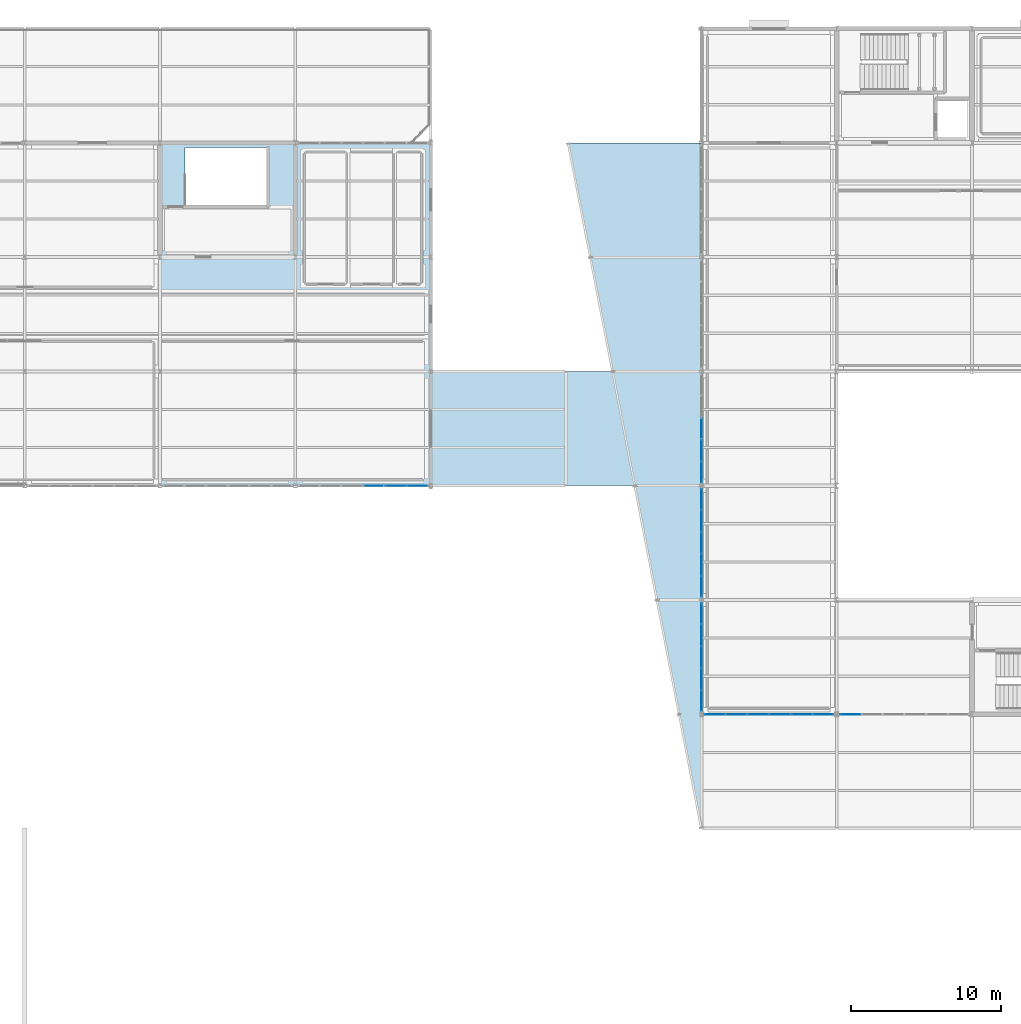
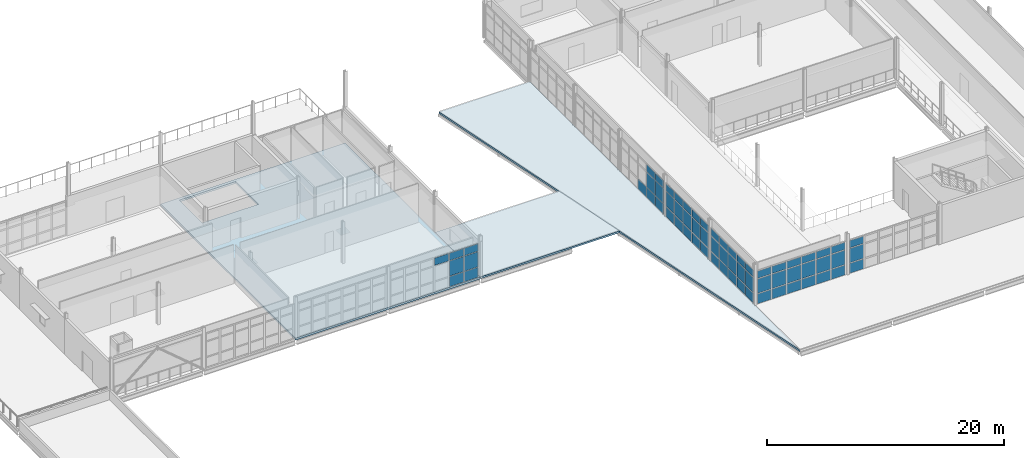
# One storey, part 71 of 96: 65 plates, 3 slabs, 6 elements without a shape of their own.
"""IFC4 building model written with IfcOpenShell, lengths in metres."""

from ifc_helpers import new_model, si_unit, direction, frame, origin, origin_2d, place, context, subcontext, project, spatial, polyline, rectangle, outline, extrude, material, layer, layer_set, type_object, element, aggregate, save


model = new_model("IFC4")

# Units and contexts
model_context = context("Model", 3, precision=1e-05, world=origin(), true_north=direction((0.0, 1.0)))
body_context = subcontext(model_context, "Body", "Model", "MODEL_VIEW")
ifc_project = project(units=[si_unit("LENGTHUNIT", "METRE"), si_unit("AREAUNIT", "SQUARE_METRE"), si_unit("VOLUMEUNIT", "CUBIC_METRE"), si_unit("PLANEANGLEUNIT", "RADIAN"), si_unit("MASSUNIT", "GRAM", prefix="KILO")], contexts=[model_context])

# Site, building, storey
site_placement = place(None, origin())
site = spatial("IfcSite", under=ifc_project, at=site_placement, CompositionType="ELEMENT")
building_placement = place(site_placement, origin())
building = spatial("IfcBuilding", under=site, at=building_placement, Name="Caisbarro Railhouse Central Library", CompositionType="ELEMENT")
storey_placement = place(building_placement, frame((0.0, 0.0, 13.679931640625)))
storey = spatial("IfcBuildingStorey", under=building, at=storey_placement, Name="L03", CompositionType="ELEMENT", Elevation=13.679931640625)

# Curtain wall, plates
ifc_material_1 = material(Name="Anodised architectural aluminium", Category="aluminium")
curtain_wall_type = type_object("IfcCurtainWallType", Name="CW-CW02", PredefinedType="NOTDEFINED", material=ifc_material_1)
curtain_wall_1_placement = place(storey_placement, origin())
curtain_wall_1 = element("IfcCurtainWall", 1, at=curtain_wall_1_placement, inside=storey, type_object=curtain_wall_type, Name="CW02 curtain wall L03 #142", PredefinedType="NOTDEFINED")
ifc_material_2 = material(Name="Double low-e laminated solar-control glass", Category="glass")
ifc_layer_1 = layer(ifc_material_2, 0.01806640625, Name="Double low-e laminated solar-control glass")
ifc_layer_set_1 = layer_set([ifc_layer_1], Name="Double low-e laminated solar-control glass")
plate_type_1 = type_object("IfcPlateType", Name="CWP-CP18", PredefinedType="CURTAIN_PANEL", material=ifc_layer_set_1)
plate_1_placement = place(storey_placement, frame((117.0, 69.30419921875, 0.0751953125), z_axis=(0.0, 0.0, 1.0), x_axis=(0.0, 1.0, 0.0)))
plate_1 = element("IfcPlate", 2, at=plate_1_placement, type_object=plate_type_1, Name="CW02 panel 1.1", PredefinedType="CURTAIN_PANEL", context=body_context, shape_type="SweptSolid", body=[
    extrude(rectangle(XDim=1.3583984375, YDim=0.01806640625, at=origin_2d()), origin(), (0.0, 0.0, 1.0), 1.007568359375),
])
plate_2_placement = place(storey_placement, frame((117.0, 69.30419921875, 1.15771484375), z_axis=(0.0, 0.0, 1.0), x_axis=(0.0, 1.0, 0.0)))
plate_2 = element("IfcPlate", 3, at=plate_2_placement, type_object=plate_type_1, Name="CW02 panel 1.2", PredefinedType="CURTAIN_PANEL", context=body_context, shape_type="SweptSolid", body=[
    extrude(rectangle(XDim=1.3583984375, YDim=0.01806640625, at=origin_2d()), origin(), (0.0, 0.0, 1.0), 1.514892578125),
])
plate_3_placement = place(storey_placement, frame((117.0, 69.30419921875, 2.74755859375), z_axis=(0.0, 0.0, 1.0), x_axis=(0.0, 1.0, 0.0)))
plate_3 = element("IfcPlate", 4, at=plate_3_placement, type_object=plate_type_1, Name="CW02 panel 1.3", PredefinedType="CURTAIN_PANEL", context=body_context, shape_type="SweptSolid", body=[
    extrude(rectangle(XDim=1.3583984375, YDim=0.01806640625, at=origin_2d()), origin(), (0.0, 0.0, 1.0), 0.737548828125),
])
plate_4_placement = place(storey_placement, frame((117.0, 70.743896484375, 0.0751953125), z_axis=(0.0, 0.0, 1.0), x_axis=(0.0, 1.0, 0.0)))
plate_4 = element("IfcPlate", 5, at=plate_4_placement, type_object=plate_type_1, Name="CW02 panel 2.1", PredefinedType="CURTAIN_PANEL", context=body_context, shape_type="SweptSolid", body=[
    extrude(rectangle(XDim=1.39111328125, YDim=0.01806640625, at=origin_2d()), origin(), (0.0, 0.0, 1.0), 1.007568359375),
])
plate_5_placement = place(storey_placement, frame((117.0, 70.743896484375, 1.15771484375), z_axis=(0.0, 0.0, 1.0), x_axis=(0.0, 1.0, 0.0)))
plate_5 = element("IfcPlate", 6, at=plate_5_placement, type_object=plate_type_1, Name="CW02 panel 2.2", PredefinedType="CURTAIN_PANEL", context=body_context, shape_type="SweptSolid", body=[
    extrude(rectangle(XDim=1.39111328125, YDim=0.01806640625, at=origin_2d()), origin(), (0.0, 0.0, 1.0), 1.514892578125),
])
plate_6_placement = place(storey_placement, frame((117.0, 70.743896484375, 2.74755859375), z_axis=(0.0, 0.0, 1.0), x_axis=(0.0, 1.0, 0.0)))
plate_6 = element("IfcPlate", 7, at=plate_6_placement, type_object=plate_type_1, Name="CW02 panel 2.3", PredefinedType="CURTAIN_PANEL", context=body_context, shape_type="SweptSolid", body=[
    extrude(rectangle(XDim=1.39111328125, YDim=0.01806640625, at=origin_2d()), origin(), (0.0, 0.0, 1.0), 0.737548828125),
])
plate_7_placement = place(storey_placement, frame((117.0, 72.199951171875, 0.0751953125), z_axis=(0.0, 0.0, 1.0), x_axis=(0.0, 1.0, 0.0)))
plate_7 = element("IfcPlate", 8, at=plate_7_placement, type_object=plate_type_1, Name="CW02 panel 3.1", PredefinedType="CURTAIN_PANEL", context=body_context, shape_type="SweptSolid", body=[
    extrude(rectangle(XDim=1.39111328125, YDim=0.01806640625, at=origin_2d()), origin(), (0.0, 0.0, 1.0), 1.007568359375),
])
plate_8_placement = place(storey_placement, frame((117.0, 72.199951171875, 1.15771484375), z_axis=(0.0, 0.0, 1.0), x_axis=(0.0, 1.0, 0.0)))
plate_8 = element("IfcPlate", 9, at=plate_8_placement, type_object=plate_type_1, Name="CW02 panel 3.2", PredefinedType="CURTAIN_PANEL", context=body_context, shape_type="SweptSolid", body=[
    extrude(rectangle(XDim=1.39111328125, YDim=0.01806640625, at=origin_2d()), origin(), (0.0, 0.0, 1.0), 1.514892578125),
])
plate_9_placement = place(storey_placement, frame((117.0, 72.199951171875, 2.74755859375), z_axis=(0.0, 0.0, 1.0), x_axis=(0.0, 1.0, 0.0)))
plate_9 = element("IfcPlate", 10, at=plate_9_placement, type_object=plate_type_1, Name="CW02 panel 3.3", PredefinedType="CURTAIN_PANEL", context=body_context, shape_type="SweptSolid", body=[
    extrude(rectangle(XDim=1.39111328125, YDim=0.01806640625, at=origin_2d()), origin(), (0.0, 0.0, 1.0), 0.737548828125),
])
plate_10_placement = place(storey_placement, frame((117.0, 73.656005859375, 0.0751953125), z_axis=(0.0, 0.0, 1.0), x_axis=(0.0, 1.0, 0.0)))
plate_10 = element("IfcPlate", 11, at=plate_10_placement, type_object=plate_type_1, Name="CW02 panel 4.1", PredefinedType="CURTAIN_PANEL", context=body_context, shape_type="SweptSolid", body=[
    extrude(rectangle(XDim=1.39111328125, YDim=0.01806640625, at=origin_2d()), origin(), (0.0, 0.0, 1.0), 1.007568359375),
])
plate_11_placement = place(storey_placement, frame((117.0, 73.656005859375, 1.15771484375), z_axis=(0.0, 0.0, 1.0), x_axis=(0.0, 1.0, 0.0)))
plate_11 = element("IfcPlate", 12, at=plate_11_placement, type_object=plate_type_1, Name="CW02 panel 4.2", PredefinedType="CURTAIN_PANEL", context=body_context, shape_type="SweptSolid", body=[
    extrude(rectangle(XDim=1.39111328125, YDim=0.01806640625, at=origin_2d()), origin(), (0.0, 0.0, 1.0), 1.514892578125),
])
plate_12_placement = place(storey_placement, frame((117.0, 73.656005859375, 2.74755859375), z_axis=(0.0, 0.0, 1.0), x_axis=(0.0, 1.0, 0.0)))
plate_12 = element("IfcPlate", 13, at=plate_12_placement, type_object=plate_type_1, Name="CW02 panel 4.3", PredefinedType="CURTAIN_PANEL", context=body_context, shape_type="SweptSolid", body=[
    extrude(rectangle(XDim=1.39111328125, YDim=0.01806640625, at=origin_2d()), origin(), (0.0, 0.0, 1.0), 0.737548828125),
])
plate_13_placement = place(storey_placement, frame((117.0, 75.095703125, 0.0751953125), z_axis=(0.0, 0.0, 1.0), x_axis=(0.0, 1.0, 0.0)))
plate_13 = element("IfcPlate", 14, at=plate_13_placement, type_object=plate_type_1, Name="CW02 panel 5.1", PredefinedType="CURTAIN_PANEL", context=body_context, shape_type="SweptSolid", body=[
    extrude(rectangle(XDim=1.3583984375, YDim=0.01806640625, at=origin_2d()), origin(), (0.0, 0.0, 1.0), 1.007568359375),
])
plate_14_placement = place(storey_placement, frame((117.0, 75.095703125, 1.15771484375), z_axis=(0.0, 0.0, 1.0), x_axis=(0.0, 1.0, 0.0)))
plate_14 = element("IfcPlate", 15, at=plate_14_placement, type_object=plate_type_1, Name="CW02 panel 5.2", PredefinedType="CURTAIN_PANEL", context=body_context, shape_type="SweptSolid", body=[
    extrude(rectangle(XDim=1.3583984375, YDim=0.01806640625, at=origin_2d()), origin(), (0.0, 0.0, 1.0), 1.514892578125),
])
plate_15_placement = place(storey_placement, frame((117.0, 75.095703125, 2.74755859375), z_axis=(0.0, 0.0, 1.0), x_axis=(0.0, 1.0, 0.0)))
plate_15 = element("IfcPlate", 16, at=plate_15_placement, type_object=plate_type_1, Name="CW02 panel 5.3", PredefinedType="CURTAIN_PANEL", context=body_context, shape_type="SweptSolid", body=[
    extrude(rectangle(XDim=1.3583984375, YDim=0.01806640625, at=origin_2d()), origin(), (0.0, 0.0, 1.0), 0.737548828125),
])
aggregate(curtain_wall_1, [plate_1, plate_2, plate_3, plate_4, plate_5, plate_6, plate_7, plate_8, plate_9, plate_10, plate_11, plate_12, plate_13, plate_14, plate_15])

curtain_wall_2_placement = place(storey_placement, origin())
curtain_wall_2 = element("IfcCurtainWall", 17, at=curtain_wall_2_placement, inside=storey, type_object=curtain_wall_type, Name="CW02 curtain wall L03 #190", PredefinedType="NOTDEFINED")
plate_16_placement = place(storey_placement, frame((95.223388671875, 83.60009765625, 2.7626953125), z_axis=(0.0, 0.0, 1.0), x_axis=(1.0, 0.0, 0.0)))
plate_16 = element("IfcPlate", 18, at=plate_16_placement, type_object=plate_type_1, Name="CW02 panel 4.3", PredefinedType="CURTAIN_PANEL", context=body_context, shape_type="SweptSolid", body=[
    extrude(rectangle(XDim=1.37158203125, YDim=0.01806640625, at=origin_2d()), origin(), (0.0, 0.0, 1.0), 0.75244140625),
])
plate_17_placement = place(storey_placement, frame((96.669921875, 83.60009765625, 0.065185546875), z_axis=(0.0, 0.0, 1.0), x_axis=(1.0, 0.0, 0.0)))
plate_17 = element("IfcPlate", 19, at=plate_17_placement, type_object=plate_type_1, Name="CW02 panel 5.1", PredefinedType="CURTAIN_PANEL", context=body_context, shape_type="SweptSolid", body=[
    extrude(rectangle(XDim=1.37158203125, YDim=0.01806640625, at=origin_2d()), origin(), (0.0, 0.0, 1.0), 1.0224609375),
])
plate_18_placement = place(storey_placement, frame((96.669921875, 83.60009765625, 1.152587890625), z_axis=(0.0, 0.0, 1.0), x_axis=(1.0, 0.0, 0.0)))
plate_18 = element("IfcPlate", 20, at=plate_18_placement, type_object=plate_type_1, Name="CW02 panel 5.2", PredefinedType="CURTAIN_PANEL", context=body_context, shape_type="SweptSolid", body=[
    extrude(rectangle(XDim=1.37158203125, YDim=0.01806640625, at=origin_2d()), origin(), (0.0, 0.0, 1.0), 1.544921875),
])
plate_19_placement = place(storey_placement, frame((96.669921875, 83.60009765625, 2.7626953125), z_axis=(0.0, 0.0, 1.0), x_axis=(1.0, 0.0, 0.0)))
plate_19 = element("IfcPlate", 21, at=plate_19_placement, type_object=plate_type_1, Name="CW02 panel 5.3", PredefinedType="CURTAIN_PANEL", context=body_context, shape_type="SweptSolid", body=[
    extrude(rectangle(XDim=1.37158203125, YDim=0.01806640625, at=origin_2d()), origin(), (0.0, 0.0, 1.0), 0.75244140625),
])
plate_20_placement = place(storey_placement, frame((98.097900390625, 83.60009765625, 0.065185546875), z_axis=(0.0, 0.0, 1.0), x_axis=(1.0, 0.0, 0.0)))
plate_20 = element("IfcPlate", 22, at=plate_20_placement, type_object=plate_type_1, Name="CW02 panel 6.1", PredefinedType="CURTAIN_PANEL", context=body_context, shape_type="SweptSolid", body=[
    extrude(rectangle(XDim=1.334228515625, YDim=0.01806640625, at=origin_2d()), origin(), (0.0, 0.0, 1.0), 1.0224609375),
])
plate_21_placement = place(storey_placement, frame((98.097900390625, 83.60009765625, 1.152587890625), z_axis=(0.0, 0.0, 1.0), x_axis=(1.0, 0.0, 0.0)))
plate_21 = element("IfcPlate", 23, at=plate_21_placement, type_object=plate_type_1, Name="CW02 panel 6.2", PredefinedType="CURTAIN_PANEL", context=body_context, shape_type="SweptSolid", body=[
    extrude(rectangle(XDim=1.334228515625, YDim=0.01806640625, at=origin_2d()), origin(), (0.0, 0.0, 1.0), 1.544921875),
])
plate_22_placement = place(storey_placement, frame((98.097900390625, 83.60009765625, 2.7626953125), z_axis=(0.0, 0.0, 1.0), x_axis=(1.0, 0.0, 0.0)))
plate_22 = element("IfcPlate", 24, at=plate_22_placement, type_object=plate_type_1, Name="CW02 panel 6.3", PredefinedType="CURTAIN_PANEL", context=body_context, shape_type="SweptSolid", body=[
    extrude(rectangle(XDim=1.334228515625, YDim=0.01806640625, at=origin_2d()), origin(), (0.0, 0.0, 1.0), 0.75244140625),
])
aggregate(curtain_wall_2, [plate_16, plate_17, plate_18, plate_19, plate_20, plate_21, plate_22])

curtain_wall_3_placement = place(storey_placement, origin())
curtain_wall_3 = element("IfcCurtainWall", 25, at=curtain_wall_3_placement, inside=storey, type_object=curtain_wall_type, Name="CW02 curtain wall L03 #143", PredefinedType="NOTDEFINED")
ifc_layer_2 = layer(ifc_material_2, 0.028076171875, Name="Double low-e laminated solar-control glass")
ifc_layer_set_2 = layer_set([ifc_layer_2], Name="Double low-e laminated solar-control glass")
plate_type_2 = type_object("IfcPlateType", Name="CWP-CP28", PredefinedType="CURTAIN_PANEL", material=ifc_layer_set_2)
plate_23_placement = place(storey_placement, frame((117.0, 76.904296875, 0.0751953125), z_axis=(0.0, 0.0, 1.0), x_axis=(0.0, 1.0, 0.0)))
plate_23 = element("IfcPlate", 26, at=plate_23_placement, type_object=plate_type_2, Name="CW02 panel 1.1", PredefinedType="CURTAIN_PANEL", context=body_context, shape_type="SweptSolid", body=[
    extrude(rectangle(XDim=1.3583984375, YDim=0.028076171875, at=origin_2d()), origin(), (0.0, 0.0, 1.0), 1.007568359375),
])
plate_24_placement = place(storey_placement, frame((117.0, 76.904296875, 1.15771484375), z_axis=(0.0, 0.0, 1.0), x_axis=(0.0, 1.0, 0.0)))
plate_24 = element("IfcPlate", 27, at=plate_24_placement, type_object=plate_type_2, Name="CW02 panel 1.2", PredefinedType="CURTAIN_PANEL", context=body_context, shape_type="SweptSolid", body=[
    extrude(rectangle(XDim=1.3583984375, YDim=0.028076171875, at=origin_2d()), origin(), (0.0, 0.0, 1.0), 1.514892578125),
])
plate_25_placement = place(storey_placement, frame((117.0, 76.904296875, 2.74755859375), z_axis=(0.0, 0.0, 1.0), x_axis=(0.0, 1.0, 0.0)))
plate_25 = element("IfcPlate", 28, at=plate_25_placement, type_object=plate_type_2, Name="CW02 panel 1.3", PredefinedType="CURTAIN_PANEL", context=body_context, shape_type="SweptSolid", body=[
    extrude(rectangle(XDim=1.3583984375, YDim=0.028076171875, at=origin_2d()), origin(), (0.0, 0.0, 1.0), 0.737548828125),
])
plate_26_placement = place(storey_placement, frame((117.0, 78.343994140625, 0.0751953125), z_axis=(0.0, 0.0, 1.0), x_axis=(0.0, 1.0, 0.0)))
plate_26 = element("IfcPlate", 29, at=plate_26_placement, type_object=plate_type_2, Name="CW02 panel 2.1", PredefinedType="CURTAIN_PANEL", context=body_context, shape_type="SweptSolid", body=[
    extrude(rectangle(XDim=1.39111328125, YDim=0.028076171875, at=origin_2d()), origin(), (0.0, 0.0, 1.0), 1.007568359375),
])
plate_27_placement = place(storey_placement, frame((117.0, 78.343994140625, 1.15771484375), z_axis=(0.0, 0.0, 1.0), x_axis=(0.0, 1.0, 0.0)))
plate_27 = element("IfcPlate", 30, at=plate_27_placement, type_object=plate_type_2, Name="CW02 panel 2.2", PredefinedType="CURTAIN_PANEL", context=body_context, shape_type="SweptSolid", body=[
    extrude(rectangle(XDim=1.39111328125, YDim=0.028076171875, at=origin_2d()), origin(), (0.0, 0.0, 1.0), 1.514892578125),
])
plate_28_placement = place(storey_placement, frame((117.0, 78.343994140625, 2.74755859375), z_axis=(0.0, 0.0, 1.0), x_axis=(0.0, 1.0, 0.0)))
plate_28 = element("IfcPlate", 31, at=plate_28_placement, type_object=plate_type_2, Name="CW02 panel 2.3", PredefinedType="CURTAIN_PANEL", context=body_context, shape_type="SweptSolid", body=[
    extrude(rectangle(XDim=1.39111328125, YDim=0.028076171875, at=origin_2d()), origin(), (0.0, 0.0, 1.0), 0.737548828125),
])
plate_29_placement = place(storey_placement, frame((117.0, 79.800048828125, 0.0751953125), z_axis=(0.0, 0.0, 1.0), x_axis=(0.0, 1.0, 0.0)))
plate_29 = element("IfcPlate", 32, at=plate_29_placement, type_object=plate_type_2, Name="CW02 panel 3.1", PredefinedType="CURTAIN_PANEL", context=body_context, shape_type="SweptSolid", body=[
    extrude(rectangle(XDim=1.39111328125, YDim=0.028076171875, at=origin_2d()), origin(), (0.0, 0.0, 1.0), 1.007568359375),
])
plate_30_placement = place(storey_placement, frame((117.0, 79.800048828125, 1.15771484375), z_axis=(0.0, 0.0, 1.0), x_axis=(0.0, 1.0, 0.0)))
plate_30 = element("IfcPlate", 33, at=plate_30_placement, type_object=plate_type_2, Name="CW02 panel 3.2", PredefinedType="CURTAIN_PANEL", context=body_context, shape_type="SweptSolid", body=[
    extrude(rectangle(XDim=1.39111328125, YDim=0.028076171875, at=origin_2d()), origin(), (0.0, 0.0, 1.0), 1.514892578125),
])
plate_31_placement = place(storey_placement, frame((117.0, 79.800048828125, 2.74755859375), z_axis=(0.0, 0.0, 1.0), x_axis=(0.0, 1.0, 0.0)))
plate_31 = element("IfcPlate", 34, at=plate_31_placement, type_object=plate_type_2, Name="CW02 panel 3.3", PredefinedType="CURTAIN_PANEL", context=body_context, shape_type="SweptSolid", body=[
    extrude(rectangle(XDim=1.39111328125, YDim=0.028076171875, at=origin_2d()), origin(), (0.0, 0.0, 1.0), 0.737548828125),
])
plate_32_placement = place(storey_placement, frame((117.0, 81.256103515625, 0.0751953125), z_axis=(0.0, 0.0, 1.0), x_axis=(0.0, 1.0, 0.0)))
plate_32 = element("IfcPlate", 35, at=plate_32_placement, type_object=plate_type_2, Name="CW02 panel 4.1", PredefinedType="CURTAIN_PANEL", context=body_context, shape_type="SweptSolid", body=[
    extrude(rectangle(XDim=1.39111328125, YDim=0.028076171875, at=origin_2d()), origin(), (0.0, 0.0, 1.0), 1.007568359375),
])
plate_33_placement = place(storey_placement, frame((117.0, 81.256103515625, 1.15771484375), z_axis=(0.0, 0.0, 1.0), x_axis=(0.0, 1.0, 0.0)))
plate_33 = element("IfcPlate", 36, at=plate_33_placement, type_object=plate_type_2, Name="CW02 panel 4.2", PredefinedType="CURTAIN_PANEL", context=body_context, shape_type="SweptSolid", body=[
    extrude(rectangle(XDim=1.39111328125, YDim=0.028076171875, at=origin_2d()), origin(), (0.0, 0.0, 1.0), 1.514892578125),
])
plate_34_placement = place(storey_placement, frame((117.0, 81.256103515625, 2.74755859375), z_axis=(0.0, 0.0, 1.0), x_axis=(0.0, 1.0, 0.0)))
plate_34 = element("IfcPlate", 37, at=plate_34_placement, type_object=plate_type_2, Name="CW02 panel 4.3", PredefinedType="CURTAIN_PANEL", context=body_context, shape_type="SweptSolid", body=[
    extrude(rectangle(XDim=1.39111328125, YDim=0.028076171875, at=origin_2d()), origin(), (0.0, 0.0, 1.0), 0.737548828125),
])
plate_35_placement = place(storey_placement, frame((117.0, 82.69580078125, 0.0751953125), z_axis=(0.0, 0.0, 1.0), x_axis=(0.0, 1.0, 0.0)))
plate_35 = element("IfcPlate", 38, at=plate_35_placement, type_object=plate_type_2, Name="CW02 panel 5.1", PredefinedType="CURTAIN_PANEL", context=body_context, shape_type="SweptSolid", body=[
    extrude(rectangle(XDim=1.3583984375, YDim=0.028076171875, at=origin_2d()), origin(), (0.0, 0.0, 1.0), 1.007568359375),
])
plate_36_placement = place(storey_placement, frame((117.0, 82.69580078125, 1.15771484375), z_axis=(0.0, 0.0, 1.0), x_axis=(0.0, 1.0, 0.0)))
plate_36 = element("IfcPlate", 39, at=plate_36_placement, type_object=plate_type_2, Name="CW02 panel 5.2", PredefinedType="CURTAIN_PANEL", context=body_context, shape_type="SweptSolid", body=[
    extrude(rectangle(XDim=1.3583984375, YDim=0.028076171875, at=origin_2d()), origin(), (0.0, 0.0, 1.0), 1.514892578125),
])
plate_37_placement = place(storey_placement, frame((117.0, 82.69580078125, 2.74755859375), z_axis=(0.0, 0.0, 1.0), x_axis=(0.0, 1.0, 0.0)))
plate_37 = element("IfcPlate", 40, at=plate_37_placement, type_object=plate_type_2, Name="CW02 panel 5.3", PredefinedType="CURTAIN_PANEL", context=body_context, shape_type="SweptSolid", body=[
    extrude(rectangle(XDim=1.3583984375, YDim=0.028076171875, at=origin_2d()), origin(), (0.0, 0.0, 1.0), 0.737548828125),
])
aggregate(curtain_wall_3, [plate_23, plate_24, plate_25, plate_26, plate_27, plate_28, plate_29, plate_30, plate_31, plate_32, plate_33, plate_34, plate_35, plate_36, plate_37])

curtain_wall_4_placement = place(storey_placement, origin())
curtain_wall_4 = element("IfcCurtainWall", 41, at=curtain_wall_4_placement, inside=storey, type_object=curtain_wall_type, Name="CW02 curtain wall L03 #148", PredefinedType="NOTDEFINED")
plate_38_placement = place(storey_placement, frame((117.902099609375, 68.39990234375, 0.0751953125), z_axis=(0.0, 0.0, 1.0), x_axis=(1.0, 0.0, 0.0)))
plate_38 = element("IfcPlate", 42, at=plate_38_placement, type_object=plate_type_2, Name="CW02 panel 1.1", PredefinedType="CURTAIN_PANEL", context=body_context, shape_type="SweptSolid", body=[
    extrude(rectangle(XDim=1.334228515625, YDim=0.028076171875, at=origin_2d()), origin(), (0.0, 0.0, 1.0), 1.007568359375),
])
plate_39_placement = place(storey_placement, frame((117.902099609375, 68.39990234375, 1.15771484375), z_axis=(0.0, 0.0, 1.0), x_axis=(1.0, 0.0, 0.0)))
plate_39 = element("IfcPlate", 43, at=plate_39_placement, type_object=plate_type_2, Name="CW02 panel 1.2", PredefinedType="CURTAIN_PANEL", context=body_context, shape_type="SweptSolid", body=[
    extrude(rectangle(XDim=1.334228515625, YDim=0.028076171875, at=origin_2d()), origin(), (0.0, 0.0, 1.0), 1.465087890625),
])
plate_40_placement = place(storey_placement, frame((117.902099609375, 68.39990234375, 2.69775390625), z_axis=(0.0, 0.0, 1.0), x_axis=(1.0, 0.0, 0.0)))
plate_40 = element("IfcPlate", 44, at=plate_40_placement, type_object=plate_type_2, Name="CW02 panel 1.3", PredefinedType="CURTAIN_PANEL", context=body_context, shape_type="SweptSolid", body=[
    extrude(rectangle(XDim=1.334228515625, YDim=0.028076171875, at=origin_2d()), origin(), (0.0, 0.0, 1.0), 0.737548828125),
])
plate_41_placement = place(storey_placement, frame((119.330078125, 68.39990234375, 0.0751953125), z_axis=(0.0, 0.0, 1.0), x_axis=(1.0, 0.0, 0.0)))
plate_41 = element("IfcPlate", 45, at=plate_41_placement, type_object=plate_type_2, Name="CW02 panel 2.1", PredefinedType="CURTAIN_PANEL", context=body_context, shape_type="SweptSolid", body=[
    extrude(rectangle(XDim=1.37158203125, YDim=0.028076171875, at=origin_2d()), origin(), (0.0, 0.0, 1.0), 1.007568359375),
])
plate_42_placement = place(storey_placement, frame((119.330078125, 68.39990234375, 1.15771484375), z_axis=(0.0, 0.0, 1.0), x_axis=(1.0, 0.0, 0.0)))
plate_42 = element("IfcPlate", 46, at=plate_42_placement, type_object=plate_type_2, Name="CW02 panel 2.2", PredefinedType="CURTAIN_PANEL", context=body_context, shape_type="SweptSolid", body=[
    extrude(rectangle(XDim=1.37158203125, YDim=0.028076171875, at=origin_2d()), origin(), (0.0, 0.0, 1.0), 1.465087890625),
])
plate_43_placement = place(storey_placement, frame((119.330078125, 68.39990234375, 2.69775390625), z_axis=(0.0, 0.0, 1.0), x_axis=(1.0, 0.0, 0.0)))
plate_43 = element("IfcPlate", 47, at=plate_43_placement, type_object=plate_type_2, Name="CW02 panel 2.3", PredefinedType="CURTAIN_PANEL", context=body_context, shape_type="SweptSolid", body=[
    extrude(rectangle(XDim=1.37158203125, YDim=0.028076171875, at=origin_2d()), origin(), (0.0, 0.0, 1.0), 0.737548828125),
])
plate_44_placement = place(storey_placement, frame((120.776611328125, 68.39990234375, 0.0751953125), z_axis=(0.0, 0.0, 1.0), x_axis=(1.0, 0.0, 0.0)))
plate_44 = element("IfcPlate", 48, at=plate_44_placement, type_object=plate_type_2, Name="CW02 panel 3.1", PredefinedType="CURTAIN_PANEL", context=body_context, shape_type="SweptSolid", body=[
    extrude(rectangle(XDim=1.37158203125, YDim=0.028076171875, at=origin_2d()), origin(), (0.0, 0.0, 1.0), 1.007568359375),
])
plate_45_placement = place(storey_placement, frame((120.776611328125, 68.39990234375, 1.15771484375), z_axis=(0.0, 0.0, 1.0), x_axis=(1.0, 0.0, 0.0)))
plate_45 = element("IfcPlate", 49, at=plate_45_placement, type_object=plate_type_2, Name="CW02 panel 3.2", PredefinedType="CURTAIN_PANEL", context=body_context, shape_type="SweptSolid", body=[
    extrude(rectangle(XDim=1.37158203125, YDim=0.028076171875, at=origin_2d()), origin(), (0.0, 0.0, 1.0), 1.465087890625),
])
plate_46_placement = place(storey_placement, frame((120.776611328125, 68.39990234375, 2.69775390625), z_axis=(0.0, 0.0, 1.0), x_axis=(1.0, 0.0, 0.0)))
plate_46 = element("IfcPlate", 50, at=plate_46_placement, type_object=plate_type_2, Name="CW02 panel 3.3", PredefinedType="CURTAIN_PANEL", context=body_context, shape_type="SweptSolid", body=[
    extrude(rectangle(XDim=1.37158203125, YDim=0.028076171875, at=origin_2d()), origin(), (0.0, 0.0, 1.0), 0.737548828125),
])
plate_47_placement = place(storey_placement, frame((122.223388671875, 68.39990234375, 0.0751953125), z_axis=(0.0, 0.0, 1.0), x_axis=(1.0, 0.0, 0.0)))
plate_47 = element("IfcPlate", 51, at=plate_47_placement, type_object=plate_type_2, Name="CW02 panel 4.1", PredefinedType="CURTAIN_PANEL", context=body_context, shape_type="SweptSolid", body=[
    extrude(rectangle(XDim=1.37158203125, YDim=0.028076171875, at=origin_2d()), origin(), (0.0, 0.0, 1.0), 1.007568359375),
])
plate_48_placement = place(storey_placement, frame((122.223388671875, 68.39990234375, 1.15771484375), z_axis=(0.0, 0.0, 1.0), x_axis=(1.0, 0.0, 0.0)))
plate_48 = element("IfcPlate", 52, at=plate_48_placement, type_object=plate_type_2, Name="CW02 panel 4.2", PredefinedType="CURTAIN_PANEL", context=body_context, shape_type="SweptSolid", body=[
    extrude(rectangle(XDim=1.37158203125, YDim=0.028076171875, at=origin_2d()), origin(), (0.0, 0.0, 1.0), 1.465087890625),
])
plate_49_placement = place(storey_placement, frame((122.223388671875, 68.39990234375, 2.69775390625), z_axis=(0.0, 0.0, 1.0), x_axis=(1.0, 0.0, 0.0)))
plate_49 = element("IfcPlate", 53, at=plate_49_placement, type_object=plate_type_2, Name="CW02 panel 4.3", PredefinedType="CURTAIN_PANEL", context=body_context, shape_type="SweptSolid", body=[
    extrude(rectangle(XDim=1.37158203125, YDim=0.028076171875, at=origin_2d()), origin(), (0.0, 0.0, 1.0), 0.737548828125),
])
plate_50_placement = place(storey_placement, frame((123.669921875, 68.39990234375, 0.0751953125), z_axis=(0.0, 0.0, 1.0), x_axis=(1.0, 0.0, 0.0)))
plate_50 = element("IfcPlate", 54, at=plate_50_placement, type_object=plate_type_2, Name="CW02 panel 5.1", PredefinedType="CURTAIN_PANEL", context=body_context, shape_type="SweptSolid", body=[
    extrude(rectangle(XDim=1.37158203125, YDim=0.028076171875, at=origin_2d()), origin(), (0.0, 0.0, 1.0), 1.007568359375),
])
plate_51_placement = place(storey_placement, frame((123.669921875, 68.39990234375, 1.15771484375), z_axis=(0.0, 0.0, 1.0), x_axis=(1.0, 0.0, 0.0)))
plate_51 = element("IfcPlate", 55, at=plate_51_placement, type_object=plate_type_2, Name="CW02 panel 5.2", PredefinedType="CURTAIN_PANEL", context=body_context, shape_type="SweptSolid", body=[
    extrude(rectangle(XDim=1.37158203125, YDim=0.028076171875, at=origin_2d()), origin(), (0.0, 0.0, 1.0), 1.465087890625),
])
plate_52_placement = place(storey_placement, frame((123.669921875, 68.39990234375, 2.69775390625), z_axis=(0.0, 0.0, 1.0), x_axis=(1.0, 0.0, 0.0)))
plate_52 = element("IfcPlate", 56, at=plate_52_placement, type_object=plate_type_2, Name="CW02 panel 5.3", PredefinedType="CURTAIN_PANEL", context=body_context, shape_type="SweptSolid", body=[
    extrude(rectangle(XDim=1.37158203125, YDim=0.028076171875, at=origin_2d()), origin(), (0.0, 0.0, 1.0), 0.737548828125),
])
plate_53_placement = place(storey_placement, frame((125.097900390625, 68.39990234375, 0.0751953125), z_axis=(0.0, 0.0, 1.0), x_axis=(1.0, 0.0, 0.0)))
plate_53 = element("IfcPlate", 57, at=plate_53_placement, type_object=plate_type_2, Name="CW02 panel 6.1", PredefinedType="CURTAIN_PANEL", context=body_context, shape_type="SweptSolid", body=[
    extrude(rectangle(XDim=1.334228515625, YDim=0.028076171875, at=origin_2d()), origin(), (0.0, 0.0, 1.0), 1.007568359375),
])
plate_54_placement = place(storey_placement, frame((125.097900390625, 68.39990234375, 1.15771484375), z_axis=(0.0, 0.0, 1.0), x_axis=(1.0, 0.0, 0.0)))
plate_54 = element("IfcPlate", 58, at=plate_54_placement, type_object=plate_type_2, Name="CW02 panel 6.2", PredefinedType="CURTAIN_PANEL", context=body_context, shape_type="SweptSolid", body=[
    extrude(rectangle(XDim=1.334228515625, YDim=0.028076171875, at=origin_2d()), origin(), (0.0, 0.0, 1.0), 1.465087890625),
])
plate_55_placement = place(storey_placement, frame((125.097900390625, 68.39990234375, 2.69775390625), z_axis=(0.0, 0.0, 1.0), x_axis=(1.0, 0.0, 0.0)))
plate_55 = element("IfcPlate", 59, at=plate_55_placement, type_object=plate_type_2, Name="CW02 panel 6.3", PredefinedType="CURTAIN_PANEL", context=body_context, shape_type="SweptSolid", body=[
    extrude(rectangle(XDim=1.334228515625, YDim=0.028076171875, at=origin_2d()), origin(), (0.0, 0.0, 1.0), 0.737548828125),
])
aggregate(curtain_wall_4, [plate_38, plate_39, plate_40, plate_41, plate_42, plate_43, plate_44, plate_45, plate_46, plate_47, plate_48, plate_49, plate_50, plate_51, plate_52, plate_53, plate_54, plate_55])

curtain_wall_5_placement = place(storey_placement, origin())
curtain_wall_5 = element("IfcCurtainWall", 60, at=curtain_wall_5_placement, inside=storey, type_object=curtain_wall_type, Name="CW02 curtain wall L03 #149", PredefinedType="NOTDEFINED")
plate_56_placement = place(storey_placement, frame((126.902099609375, 68.39990234375, 0.0751953125), z_axis=(0.0, 0.0, 1.0), x_axis=(1.0, 0.0, 0.0)))
plate_56 = element("IfcPlate", 61, at=plate_56_placement, type_object=plate_type_2, Name="CW02 panel 1.1", PredefinedType="CURTAIN_PANEL", context=body_context, shape_type="SweptSolid", body=[
    extrude(rectangle(XDim=1.334228515625, YDim=0.028076171875, at=origin_2d()), origin(), (0.0, 0.0, 1.0), 1.007568359375),
])
plate_57_placement = place(storey_placement, frame((126.902099609375, 68.39990234375, 1.15771484375), z_axis=(0.0, 0.0, 1.0), x_axis=(1.0, 0.0, 0.0)))
plate_57 = element("IfcPlate", 62, at=plate_57_placement, type_object=plate_type_2, Name="CW02 panel 1.2", PredefinedType="CURTAIN_PANEL", context=body_context, shape_type="SweptSolid", body=[
    extrude(rectangle(XDim=1.334228515625, YDim=0.028076171875, at=origin_2d()), origin(), (0.0, 0.0, 1.0), 1.465087890625),
])
plate_58_placement = place(storey_placement, frame((126.902099609375, 68.39990234375, 2.69775390625), z_axis=(0.0, 0.0, 1.0), x_axis=(1.0, 0.0, 0.0)))
plate_58 = element("IfcPlate", 63, at=plate_58_placement, type_object=plate_type_2, Name="CW02 panel 1.3", PredefinedType="CURTAIN_PANEL", context=body_context, shape_type="SweptSolid", body=[
    extrude(rectangle(XDim=1.334228515625, YDim=0.028076171875, at=origin_2d()), origin(), (0.0, 0.0, 1.0), 0.737548828125),
])
aggregate(curtain_wall_5, [plate_56, plate_57, plate_58])

curtain_wall_6_placement = place(storey_placement, origin())
curtain_wall_6 = element("IfcCurtainWall", 64, at=curtain_wall_6_placement, inside=storey, type_object=curtain_wall_type, Name="CW02 curtain wall L03 #144", PredefinedType="NOTDEFINED")
ifc_layer_3 = layer(ifc_material_2, 0.0380859375, Name="Double low-e laminated solar-control glass")
ifc_layer_set_3 = layer_set([ifc_layer_3], Name="Double low-e laminated solar-control glass")
plate_type_3 = type_object("IfcPlateType", Name="CWP-CP38", PredefinedType="CURTAIN_PANEL", material=ifc_layer_set_3)
plate_59_placement = place(storey_placement, frame((117.0, 84.504150390625, 0.0751953125), z_axis=(0.0, 0.0, 1.0), x_axis=(0.0, 1.0, 0.0)))
plate_59 = element("IfcPlate", 65, at=plate_59_placement, type_object=plate_type_3, Name="CW02 panel 1.1", PredefinedType="CURTAIN_PANEL", context=body_context, shape_type="SweptSolid", body=[
    extrude(rectangle(XDim=1.3583984375, YDim=0.0380859375, at=origin_2d()), origin(), (0.0, 0.0, 1.0), 1.007568359375),
])
plate_60_placement = place(storey_placement, frame((117.0, 84.504150390625, 1.15771484375), z_axis=(0.0, 0.0, 1.0), x_axis=(0.0, 1.0, 0.0)))
plate_60 = element("IfcPlate", 66, at=plate_60_placement, type_object=plate_type_3, Name="CW02 panel 1.2", PredefinedType="CURTAIN_PANEL", context=body_context, shape_type="SweptSolid", body=[
    extrude(rectangle(XDim=1.3583984375, YDim=0.0380859375, at=origin_2d()), origin(), (0.0, 0.0, 1.0), 1.514892578125),
])
plate_61_placement = place(storey_placement, frame((117.0, 84.504150390625, 2.74755859375), z_axis=(0.0, 0.0, 1.0), x_axis=(0.0, 1.0, 0.0)))
plate_61 = element("IfcPlate", 67, at=plate_61_placement, type_object=plate_type_3, Name="CW02 panel 1.3", PredefinedType="CURTAIN_PANEL", context=body_context, shape_type="SweptSolid", body=[
    extrude(rectangle(XDim=1.3583984375, YDim=0.0380859375, at=origin_2d()), origin(), (0.0, 0.0, 1.0), 0.737548828125),
])
plate_62_placement = place(storey_placement, frame((117.0, 85.944091796875, 0.0751953125), z_axis=(0.0, 0.0, 1.0), x_axis=(0.0, 1.0, 0.0)))
plate_62 = element("IfcPlate", 68, at=plate_62_placement, type_object=plate_type_3, Name="CW02 panel 2.1", PredefinedType="CURTAIN_PANEL", context=body_context, shape_type="SweptSolid", body=[
    extrude(rectangle(XDim=1.39111328125, YDim=0.0380859375, at=origin_2d()), origin(), (0.0, 0.0, 1.0), 1.007568359375),
])
plate_63_placement = place(storey_placement, frame((117.0, 85.944091796875, 1.15771484375), z_axis=(0.0, 0.0, 1.0), x_axis=(0.0, 1.0, 0.0)))
plate_63 = element("IfcPlate", 69, at=plate_63_placement, type_object=plate_type_3, Name="CW02 panel 2.2", PredefinedType="CURTAIN_PANEL", context=body_context, shape_type="SweptSolid", body=[
    extrude(rectangle(XDim=1.39111328125, YDim=0.0380859375, at=origin_2d()), origin(), (0.0, 0.0, 1.0), 1.514892578125),
])
plate_64_placement = place(storey_placement, frame((117.0, 85.944091796875, 2.74755859375), z_axis=(0.0, 0.0, 1.0), x_axis=(0.0, 1.0, 0.0)))
plate_64 = element("IfcPlate", 70, at=plate_64_placement, type_object=plate_type_3, Name="CW02 panel 2.3", PredefinedType="CURTAIN_PANEL", context=body_context, shape_type="SweptSolid", body=[
    extrude(rectangle(XDim=1.39111328125, YDim=0.0380859375, at=origin_2d()), origin(), (0.0, 0.0, 1.0), 0.737548828125),
])
plate_65_placement = place(storey_placement, frame((117.0, 87.39990234375, 0.0751953125), z_axis=(0.0, 0.0, 1.0), x_axis=(0.0, 1.0, 0.0)))
plate_65 = element("IfcPlate", 71, at=plate_65_placement, type_object=plate_type_3, Name="CW02 panel 3.1", PredefinedType="CURTAIN_PANEL", context=body_context, shape_type="SweptSolid", body=[
    extrude(rectangle(XDim=1.39111328125, YDim=0.0380859375, at=origin_2d()), origin(), (0.0, 0.0, 1.0), 1.007568359375),
])
aggregate(curtain_wall_6, [plate_59, plate_60, plate_61, plate_62, plate_63, plate_64, plate_65])

# Slabs
ifc_material_3 = material(Name="Concrete C35", Category="concrete")
ifc_layer_4 = layer(ifc_material_3, 0.199951171875, Name="Concrete C35")
ifc_layer_set_4 = layer_set([ifc_layer_4], Name="Concrete C35")
slab_type_1 = type_object("IfcSlabType", Name="SLB-FL20", PredefinedType="FLOOR", material=ifc_layer_set_4)
slab_1_placement = place(storey_placement, frame((0.0, 0.0, -0.199951171875)))
element("IfcSlab", 72, at=slab_1_placement, inside=storey, type_object=slab_type_1, Name="SF20 structural slab L03 V6.2", PredefinedType="FLOOR", context=body_context, shape_type="SweptSolid", body=[
    extrude(outline(polyline([(81.0, 83.60009765625), (99.0, 83.60009765625), (99.0, 106.39990234375), (81.0, 106.39990234375), (81.0, 83.60009765625)]), holes=[polyline([(82.64990234375, 102.25), (88.14990234375, 102.25), (88.14990234375, 106.10009765625), (82.64990234375, 106.10009765625), (82.64990234375, 102.25)])]), origin(), (0.0, 0.0, 1.0), 0.199951171875),
])
ifc_layer_5 = layer(ifc_material_3, 0.179931640625, Name="Concrete C35")
ifc_layer_set_5 = layer_set([ifc_layer_5], Name="Concrete C35")
slab_type_2 = type_object("IfcSlabType", Name="SLB-RF18", PredefinedType="ROOF", material=ifc_layer_set_5)
slab_2_placement = place(storey_placement, frame((0.0, 0.0, -0.179931640625)))
element("IfcSlab", 73, at=slab_2_placement, inside=storey, type_object=slab_type_2, Name="Courtyard Bridge Roof Slab BRG-E", PredefinedType="ROOF", context=body_context, shape_type="SweptSolid", body=[
    extrude(outline(polyline([(99.0, 83.60009765625), (112.568115234375, 83.60009765625), (111.091064453125, 91.199951171875), (99.0, 91.199951171875), (99.0, 83.60009765625)])), origin(), (0.0, 0.0, 1.0), 0.179931640625),
])
slab_3_placement = place(storey_placement, frame((0.0, 0.0, -0.179931640625)))
element("IfcSlab", 74, at=slab_3_placement, inside=storey, type_object=slab_type_2, Name="V4 Splayed Wedge Roof Slab", PredefinedType="ROOF", context=body_context, shape_type="SweptSolid", body=[
    extrude(outline(polyline([(117.0, 60.800048828125), (117.0, 106.39990234375), (108.135986328125, 106.39990234375), (117.0, 60.800048828125)])), origin(), (0.0, 0.0, 1.0), 0.179931640625),
])

save(model, "model.ifc")
